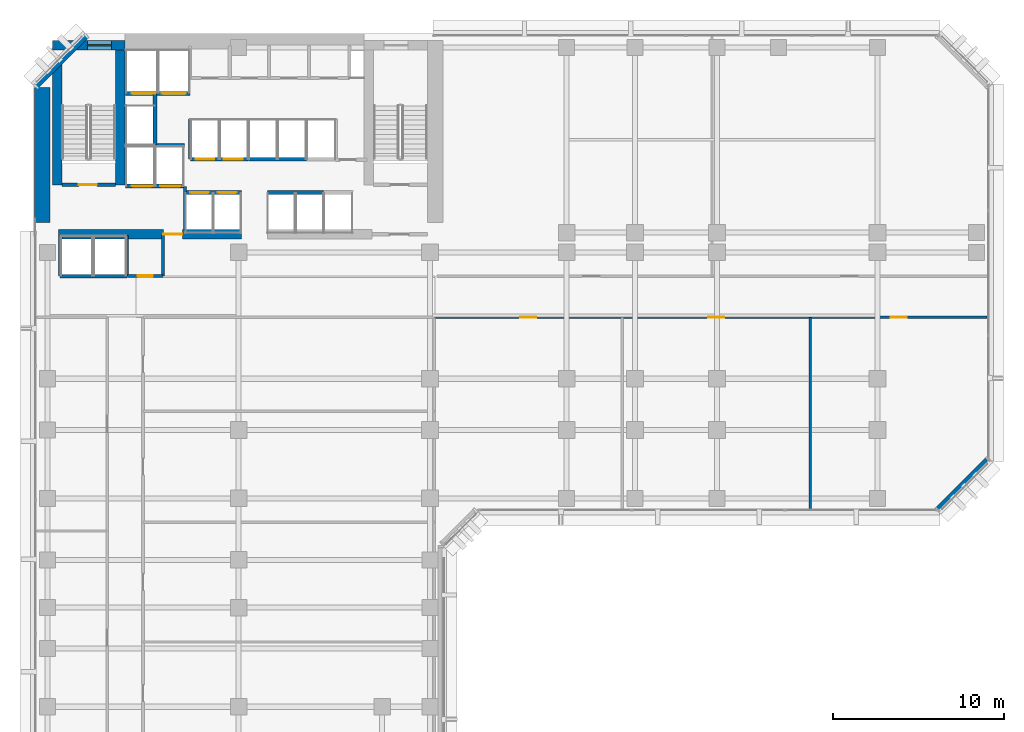
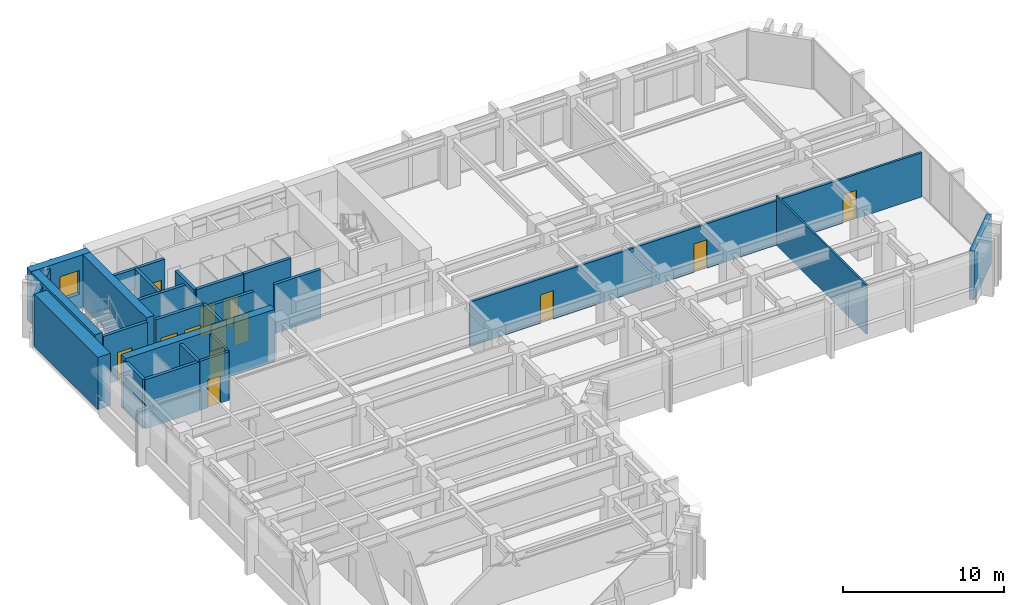
# One storey, part 7 of 14: 25 walls, 14 doors, 1 window, 15 openings.
"""IFC4 building model written with IfcOpenShell, lengths in metres."""

from ifc_helpers import new_model, si_unit, direction, frame, frame_2d, origin, place, context, subcontext, project, spatial, rectangle, extrude, material, layer, layer_set, type_object, element, fill, save


model = new_model("IFC4")

# Units and contexts
model_context = context("Model", 3, precision=1e-05, world=origin(), true_north=direction((0.0, 1.0)))
body_context = subcontext(model_context, "Body", "Model", "MODEL_VIEW")
ifc_project = project(units=[si_unit("LENGTHUNIT", "METRE"), si_unit("AREAUNIT", "SQUARE_METRE"), si_unit("VOLUMEUNIT", "CUBIC_METRE"), si_unit("PLANEANGLEUNIT", "RADIAN"), si_unit("MASSUNIT", "GRAM", prefix="KILO")], contexts=[model_context])

# Site, building, storey
site_placement = place(None, origin())
site = spatial("IfcSite", under=ifc_project, at=site_placement, CompositionType="ELEMENT")
building_placement = place(site_placement, origin())
building = spatial("IfcBuilding", under=site, at=building_placement, Name="Kefirva Bronze Tower", CompositionType="ELEMENT")
storey_placement = place(building_placement, frame((0.0, 0.0, 34.320068359375)))
storey = spatial("IfcBuildingStorey", under=building, at=storey_placement, Name="L07", CompositionType="ELEMENT", Elevation=34.320068359375)

# Wall
ifc_material_1 = material(Name="Gypsum acoustic partition")
ifc_layer_1 = layer(ifc_material_1, 0.1298828125, Name="Gypsum acoustic partition")
ifc_layer_set_1 = layer_set([ifc_layer_1], Name="Gypsum acoustic partition")
wall_type_1 = type_object("IfcWallType", Name="Acoustic Office Partition 130mm", PredefinedType="PARTITIONING", material=ifc_layer_set_1)
wall_1_placement = place(storey_placement, frame((45.454833984375, 18.18994140625, 0.0), z_axis=(0.0, 0.0, 1.0), x_axis=(0.0, 1.0, 0.0)))
element("IfcWall", 1, at=wall_1_placement, inside=storey, type_object=wall_type_1, Name="L07 Partition W-L07-ESD2", PredefinedType="PARTITIONING", context=body_context, shape_type="SweptSolid", body=[
    extrude(rectangle(XDim=11.2099609375, YDim=0.1298828125, at=frame_2d((5.60498046875, 0.0))), origin(), (0.0, 0.0, 1.0), 3.7099609375),
])

# Wall, opening, door
ifc_material_2 = material(Name="Gypsum fireboard shaftwall")
ifc_layer_2 = layer(ifc_material_2, 0.219970703125, Name="Gypsum fireboard shaftwall")
ifc_layer_set_2 = layer_set([ifc_layer_2], Name="Gypsum fireboard shaftwall")
wall_type_2 = type_object("IfcWallType", Name="Fire-Rated Shaft Enclosure Wall 220mm", PredefinedType="PARTITIONING", material=ifc_layer_set_2)
wall_2_placement = place(storey_placement, frame((1.64990234375, 37.14990234375, 0.0), z_axis=(0.0, 0.0, 1.0), x_axis=(1.0, 0.0, 0.0)))
wall_2 = element("IfcWall", 2, at=wall_2_placement, inside=storey, type_object=wall_type_2, Name="L07 Partition W-L07-ST1S", PredefinedType="PARTITIONING", context=body_context, shape_type="SweptSolid", body=[
    extrude(rectangle(XDim=3.150146484375, YDim=0.219970703125, at=frame_2d((1.5751953125, 0.0))), origin(), (0.0, 0.0, 1.0), 3.7099609375),
])
opening_1_placement = place(wall_2_placement, frame((2.050048828125, 0.0, 0.0), z_axis=(0.0, 0.0, 1.0), x_axis=(-1.0, 0.0, 0.0)))
opening_1 = element("IfcOpeningElement", 3, at=opening_1_placement, cuts=wall_2, Name="Opening L07-D001", PredefinedType="OPENING", context=body_context, shape_type="SweptSolid", body=[
    extrude(rectangle(XDim=1.050048828125, YDim=2.14990234375, at=frame_2d((0.52490234375, 1.074951171875))), frame((0.0, 0.1201171875, 0.0), z_axis=(0.0, -1.0, 0.0), x_axis=(1.0, 0.0, 0.0)), (0.0, 0.0, 1.0), 0.239990234375),
])
ifc_material_3 = material(Name="Painted galvanized steel", Category="steel")
door_type_1 = type_object("IfcDoorType", Name="Fire Stair Enclosure Door 1050x2150 FD90S", OperationType="NOTDEFINED", PredefinedType="DOOR", material=ifc_material_3)
door_1_placement = place(opening_1_placement, origin())
door_1 = element("IfcDoor", 4, at=door_1_placement, inside=storey, type_object=door_type_1, Name="Door L07-D001", OperationType="SINGLE_SWING_LEFT", OverallHeight=2.14990234375, OverallWidth=1.050048828125, PredefinedType="DOOR", context=body_context, shape_type="SweptSolid", body=[
    extrude(rectangle(XDim=1.050048828125, YDim=2.14990234375, at=frame_2d((0.52490234375, 1.074951171875))), frame((0.0, 0.02490234375, 0.0), z_axis=(0.0, -1.0, 0.0), x_axis=(1.0, 0.0, 0.0)), (0.0, 0.0, 1.0), 0.050048828125),
])
fill(opening_1, door_1)

# Wall, openings, doors
wall_3_placement = place(storey_placement, frame((5.3798828125, 37.080078125, 0.0), z_axis=(0.0, 0.0, 1.0), x_axis=(1.0, 0.0, 0.0)))
wall_3 = element("IfcWall", 5, at=wall_3_placement, inside=storey, type_object=wall_type_2, Name="L07 Partition W-L07-FFS", PredefinedType="PARTITIONING", context=body_context, shape_type="SweptSolid", body=[
    extrude(rectangle(XDim=3.460205078125, YDim=0.219970703125, at=frame_2d((1.72998046875, 0.0))), origin(), (0.0, 0.0, 1.0), 3.7099609375),
])
opening_2_placement = place(wall_3_placement, frame((1.550048828125, 0.0, 0.0), z_axis=(0.0, 0.0, 1.0), x_axis=(-1.0, 0.0, 0.0)))
opening_2 = element("IfcOpeningElement", 6, at=opening_2_placement, cuts=wall_3, Name="Opening L07-LD-FF1", PredefinedType="OPENING", context=body_context, shape_type="SweptSolid", body=[
    extrude(rectangle(XDim=1.199951171875, YDim=2.199951171875, at=frame_2d((0.60009765625, 1.10009765625))), frame((0.0, 0.1201171875, 0.0), z_axis=(0.0, -1.0, 0.0), x_axis=(1.0, 0.0, 0.0)), (0.0, 0.0, 1.0), 0.239990234375),
])
opening_3_placement = place(wall_3_placement, frame((3.219970703125, 0.0, 0.0), z_axis=(0.0, 0.0, 1.0), x_axis=(-1.0, 0.0, 0.0)))
opening_3 = element("IfcOpeningElement", 7, at=opening_3_placement, cuts=wall_3, Name="Opening L07-LD-FF2", PredefinedType="OPENING", context=body_context, shape_type="SweptSolid", body=[
    extrude(rectangle(XDim=1.199951171875, YDim=2.199951171875, at=frame_2d((0.60009765625, 1.10009765625))), frame((0.0, 0.1201171875, 0.0), z_axis=(0.0, -1.0, 0.0), x_axis=(1.0, 0.0, 0.0)), (0.0, 0.0, 1.0), 0.239990234375),
])
ifc_material_4 = material(Name="Stainless steel 316", Category="steel")
door_type_2 = type_object("IfcDoorType", Name="Firefighting Lift Sliding Door 1200x2200", OperationType="SLIDING_TO_RIGHT", PredefinedType="DOOR", material=ifc_material_4)
door_2_placement = place(opening_2_placement, origin())
door_2 = element("IfcDoor", 8, at=door_2_placement, inside=storey, type_object=door_type_2, Name="Door L07-LD-FF1", OperationType="SLIDING_TO_RIGHT", OverallHeight=2.199951171875, OverallWidth=1.199951171875, PredefinedType="DOOR", context=body_context, shape_type="SweptSolid", body=[
    extrude(rectangle(XDim=1.199951171875, YDim=2.199951171875, at=frame_2d((0.60009765625, 1.10009765625))), frame((0.0, 0.02490234375, 0.0), z_axis=(0.0, -1.0, 0.0), x_axis=(1.0, 0.0, 0.0)), (0.0, 0.0, 1.0), 0.050048828125),
])
fill(opening_2, door_2)
door_3_placement = place(opening_3_placement, origin())
door_3 = element("IfcDoor", 9, at=door_3_placement, inside=storey, type_object=door_type_2, Name="Door L07-LD-FF2", OperationType="SLIDING_TO_RIGHT", OverallHeight=2.199951171875, OverallWidth=1.199951171875, PredefinedType="DOOR", context=body_context, shape_type="SweptSolid", body=[
    extrude(rectangle(XDim=1.199951171875, YDim=2.199951171875, at=frame_2d((0.60009765625, 1.10009765625))), frame((0.0, 0.02490234375, 0.0), z_axis=(0.0, -1.0, 0.0), x_axis=(1.0, 0.0, 0.0)), (0.0, 0.0, 1.0), 0.050048828125),
])
fill(opening_3, door_3)

# Wall
wall_4_placement = place(storey_placement, frame((5.3798828125, 39.449951171875, 0.0), z_axis=(0.0, 0.0, 1.0), x_axis=(1.0, 0.0, 0.0)))
element("IfcWall", 10, at=wall_4_placement, inside=storey, type_object=wall_type_2, Name="L07 Partition W-L07-FFN", PredefinedType="PARTITIONING", context=body_context, shape_type="SweptSolid", body=[
    extrude(rectangle(XDim=3.460205078125, YDim=0.219970703125, at=frame_2d((1.72998046875, 0.0))), origin(), (0.0, 0.0, 1.0), 3.7099609375),
])

# Wall, openings, doors
wall_5_placement = place(storey_placement, frame((5.3798828125, 42.5, 0.0), z_axis=(0.0, 0.0, 1.0), x_axis=(1.0, 0.0, 0.0)))
wall_5 = element("IfcWall", 11, at=wall_5_placement, inside=storey, type_object=wall_type_2, Name="L07 Partition W-L07-SVS", PredefinedType="PARTITIONING", context=body_context, shape_type="SweptSolid", body=[
    extrude(rectangle(XDim=3.77001953125, YDim=0.219970703125, at=frame_2d((1.885009765625, 0.0))), origin(), (0.0, 0.0, 1.0), 3.7099609375),
])
opening_4_placement = place(wall_5_placement, frame((1.75, 0.0, 0.0), z_axis=(0.0, 0.0, 1.0), x_axis=(-1.0, 0.0, 0.0)))
opening_4 = element("IfcOpeningElement", 12, at=opening_4_placement, cuts=wall_5, Name="Opening L07-LD-SV1", PredefinedType="OPENING", context=body_context, shape_type="SweptSolid", body=[
    extrude(rectangle(XDim=1.39990234375, YDim=2.199951171875, at=frame_2d((0.699951171875, 1.10009765625))), frame((0.0, 0.1201171875, 0.0), z_axis=(0.0, -1.0, 0.0), x_axis=(1.0, 0.0, 0.0)), (0.0, 0.0, 1.0), 0.239990234375),
])
opening_5_placement = place(wall_5_placement, frame((3.52978515625, 0.0, 0.0), z_axis=(0.0, 0.0, 1.0), x_axis=(-1.0, 0.0, 0.0)))
opening_5 = element("IfcOpeningElement", 13, at=opening_5_placement, cuts=wall_5, Name="Opening L07-LD-SV2", PredefinedType="OPENING", context=body_context, shape_type="SweptSolid", body=[
    extrude(rectangle(XDim=1.39990234375, YDim=2.199951171875, at=frame_2d((0.699951171875, 1.10009765625))), frame((0.0, 0.1201171875, 0.0), z_axis=(0.0, -1.0, 0.0), x_axis=(1.0, 0.0, 0.0)), (0.0, 0.0, 1.0), 0.239990234375),
])
door_type_3 = type_object("IfcDoorType", Name="Goods Lift Bi-Parting Sliding Door 1400x2200", OperationType="SLIDING_TO_LEFT", PredefinedType="DOOR", material=ifc_material_4)
door_4_placement = place(opening_4_placement, origin())
door_4 = element("IfcDoor", 14, at=door_4_placement, inside=storey, type_object=door_type_3, Name="Door L07-LD-SV1", OperationType="SLIDING_TO_LEFT", OverallHeight=2.199951171875, OverallWidth=1.39990234375, PredefinedType="DOOR", context=body_context, shape_type="SweptSolid", body=[
    extrude(rectangle(XDim=1.39990234375, YDim=2.199951171875, at=frame_2d((0.699951171875, 1.10009765625))), frame((0.0, 0.02490234375, 0.0), z_axis=(0.0, -1.0, 0.0), x_axis=(1.0, 0.0, 0.0)), (0.0, 0.0, 1.0), 0.050048828125),
])
fill(opening_4, door_4)
door_5_placement = place(opening_5_placement, origin())
door_5 = element("IfcDoor", 15, at=door_5_placement, inside=storey, type_object=door_type_3, Name="Door L07-LD-SV2", OperationType="SLIDING_TO_LEFT", OverallHeight=2.199951171875, OverallWidth=1.39990234375, PredefinedType="DOOR", context=body_context, shape_type="SweptSolid", body=[
    extrude(rectangle(XDim=1.39990234375, YDim=2.199951171875, at=frame_2d((0.699951171875, 1.10009765625))), frame((0.0, 0.02490234375, 0.0), z_axis=(0.0, -1.0, 0.0), x_axis=(1.0, 0.0, 0.0)), (0.0, 0.0, 1.0), 0.050048828125),
])
fill(opening_5, door_5)

# Walls
wall_6_placement = place(storey_placement, frame((7.10009765625, 39.52001953125, 0.0), z_axis=(0.0, 0.0, 1.0), x_axis=(0.0, 1.0, 0.0)))
element("IfcWall", 16, at=wall_6_placement, inside=storey, type_object=wall_type_2, Name="L07 Partition W-L07-HP3E", PredefinedType="PARTITIONING", context=body_context, shape_type="SweptSolid", body=[
    extrude(rectangle(XDim=2.929931640625, YDim=0.219970703125, at=frame_2d((1.46484375, 0.0))), origin(), (0.0, 0.0, 1.0), 3.7099609375),
])
wall_7_placement = place(storey_placement, frame((1.550048828125, 31.800048828125, 0.0), z_axis=(0.0, 0.0, 1.0), x_axis=(1.0, 0.0, 0.0)))
element("IfcWall", 17, at=wall_7_placement, inside=storey, type_object=wall_type_2, Name="L07 Partition W-L07-OBS", PredefinedType="PARTITIONING", context=body_context, shape_type="SweptSolid", body=[
    extrude(rectangle(XDim=3.89990234375, YDim=0.219970703125, at=frame_2d((1.949951171875, 0.0))), origin(), (0.0, 0.0, 1.0), 3.7099609375),
])
for number, where, z_axis, x_axis, name in (
    (18, (1.550048828125, 31.800048828125, 0.0), (0.0, 0.0, 1.0), (0.0, 1.0, 0.0), "L07 Partition W-L07-OBW"),
    (19, (5.449951171875, 31.800048828125, 0.0), (0.0, 0.0, 1.0), (0.0, 1.0, 0.0), "L07 Partition W-L07-OBE"),
):
    element("IfcWall", number, at=place(storey_placement, frame(where, z_axis=z_axis, x_axis=x_axis)), inside=storey, type_object=wall_type_2, Name=name, PredefinedType="PARTITIONING", context=body_context, shape_type="SweptSolid", body=[
        extrude(rectangle(XDim=2.3798828125, YDim=0.219970703125, at=frame_2d((1.18994140625, 0.0))), origin(), (0.0, 0.0, 1.0), 3.7099609375),
    ])
wall_8_placement = place(storey_placement, frame((9.159912109375, 38.64990234375, 0.0), z_axis=(0.0, 0.0, 1.0), x_axis=(0.0, 1.0, 0.0)))
element("IfcWall", 20, at=wall_8_placement, inside=storey, type_object=wall_type_2, Name="L07 Partition W-L07-LP3W", PredefinedType="PARTITIONING", context=body_context, shape_type="SweptSolid", body=[
    extrude(rectangle(XDim=2.35009765625, YDim=0.199951171875, at=frame_2d((1.175048828125, 0.0))), origin(), (0.0, 0.0, 1.0), 3.7099609375),
])

# Wall, openings, doors
wall_9_placement = place(storey_placement, frame((8.89990234375, 36.699951171875, 0.0), z_axis=(0.0, 0.0, 1.0), x_axis=(1.0, 0.0, 0.0)))
wall_9 = element("IfcWall", 21, at=wall_9_placement, inside=storey, type_object=wall_type_2, Name="L07 Partition W-L07-LPS", PredefinedType="PARTITIONING", context=body_context, shape_type="SweptSolid", body=[
    extrude(rectangle(XDim=3.260009765625, YDim=0.219970703125, at=frame_2d((1.6298828125, 0.0))), origin(), (0.0, 0.0, 1.0), 3.7099609375),
])
opening_6_placement = place(wall_9_placement, frame((0.260009765625, 0.0, 0.0)))
opening_6 = element("IfcOpeningElement", 22, at=opening_6_placement, cuts=wall_9, Name="Opening L07-LD-LP1", PredefinedType="OPENING", context=body_context, shape_type="SweptSolid", body=[
    extrude(rectangle(XDim=1.10009765625, YDim=2.199951171875, at=frame_2d((0.550048828125, 1.10009765625))), frame((0.0, 0.1201171875, 0.0), z_axis=(0.0, -1.0, 0.0), x_axis=(1.0, 0.0, 0.0)), (0.0, 0.0, 1.0), 0.239990234375),
])
opening_7_placement = place(wall_9_placement, frame((1.8798828125, 0.0, 0.0)))
opening_7 = element("IfcOpeningElement", 23, at=opening_7_placement, cuts=wall_9, Name="Opening L07-LD-LP2", PredefinedType="OPENING", context=body_context, shape_type="SweptSolid", body=[
    extrude(rectangle(XDim=1.10009765625, YDim=2.199951171875, at=frame_2d((0.550048828125, 1.10009765625))), frame((0.0, 0.1201171875, 0.0), z_axis=(0.0, -1.0, 0.0), x_axis=(1.0, 0.0, 0.0)), (0.0, 0.0, 1.0), 0.239990234375),
])
door_type_4 = type_object("IfcDoorType", Name="Passenger Lift Sliding Landing Door 1100x2200", OperationType="SLIDING_TO_LEFT", PredefinedType="DOOR", material=ifc_material_4)
door_6_placement = place(opening_6_placement, origin())
door_6 = element("IfcDoor", 24, at=door_6_placement, inside=storey, type_object=door_type_4, Name="Door L07-LD-LP1", OperationType="SLIDING_TO_LEFT", OverallHeight=2.199951171875, OverallWidth=1.10009765625, PredefinedType="DOOR", context=body_context, shape_type="SweptSolid", body=[
    extrude(rectangle(XDim=1.10009765625, YDim=2.199951171875, at=frame_2d((0.550048828125, 1.10009765625))), frame((0.0, 0.02490234375, 0.0), z_axis=(0.0, -1.0, 0.0), x_axis=(1.0, 0.0, 0.0)), (0.0, 0.0, 1.0), 0.050048828125),
])
fill(opening_6, door_6)
door_7_placement = place(opening_7_placement, origin())
door_7 = element("IfcDoor", 25, at=door_7_placement, inside=storey, type_object=door_type_4, Name="Door L07-LD-LP2", OperationType="SLIDING_TO_LEFT", OverallHeight=2.199951171875, OverallWidth=1.10009765625, PredefinedType="DOOR", context=body_context, shape_type="SweptSolid", body=[
    extrude(rectangle(XDim=1.10009765625, YDim=2.199951171875, at=frame_2d((0.550048828125, 1.10009765625))), frame((0.0, 0.02490234375, 0.0), z_axis=(0.0, -1.0, 0.0), x_axis=(1.0, 0.0, 0.0)), (0.0, 0.0, 1.0), 0.050048828125),
])
fill(opening_7, door_7)

wall_10_placement = place(storey_placement, frame((9.179931640625, 38.64990234375, 0.0), z_axis=(0.0, 0.0, 1.0), x_axis=(1.0, 0.0, 0.0)))
wall_10 = element("IfcWall", 26, at=wall_10_placement, inside=storey, type_object=wall_type_2, Name="L07 Partition W-L07-LPN", PredefinedType="PARTITIONING", context=body_context, shape_type="SweptSolid", body=[
    extrude(rectangle(XDim=3.380126953125, YDim=0.219970703125, at=frame_2d((1.68994140625, 0.0))), origin(), (0.0, 0.0, 1.0), 3.7099609375),
])
opening_8_placement = place(wall_10_placement, frame((0.300048828125, 0.0, 0.0)))
opening_8 = element("IfcOpeningElement", 27, at=opening_8_placement, cuts=wall_10, Name="Opening L07-LD-LP3", PredefinedType="OPENING", context=body_context, shape_type="SweptSolid", body=[
    extrude(rectangle(XDim=1.10009765625, YDim=2.199951171875, at=frame_2d((0.550048828125, 1.10009765625))), frame((0.0, 0.1201171875, 0.0), z_axis=(0.0, -1.0, 0.0), x_axis=(1.0, 0.0, 0.0)), (0.0, 0.0, 1.0), 0.239990234375),
])
opening_9_placement = place(wall_10_placement, frame((1.949951171875, 0.0, 0.0)))
opening_9 = element("IfcOpeningElement", 28, at=opening_9_placement, cuts=wall_10, Name="Opening L07-LD-LP4", PredefinedType="OPENING", context=body_context, shape_type="SweptSolid", body=[
    extrude(rectangle(XDim=1.10009765625, YDim=2.199951171875, at=frame_2d((0.550048828125, 1.10009765625))), frame((0.0, 0.1201171875, 0.0), z_axis=(0.0, -1.0, 0.0), x_axis=(1.0, 0.0, 0.0)), (0.0, 0.0, 1.0), 0.239990234375),
])
door_8_placement = place(opening_8_placement, origin())
door_8 = element("IfcDoor", 29, at=door_8_placement, inside=storey, type_object=door_type_4, Name="Door L07-LD-LP3", OperationType="SLIDING_TO_LEFT", OverallHeight=2.199951171875, OverallWidth=1.10009765625, PredefinedType="DOOR", context=body_context, shape_type="SweptSolid", body=[
    extrude(rectangle(XDim=1.10009765625, YDim=2.199951171875, at=frame_2d((0.550048828125, 1.10009765625))), frame((0.0, 0.02490234375, 0.0), z_axis=(0.0, -1.0, 0.0), x_axis=(1.0, 0.0, 0.0)), (0.0, 0.0, 1.0), 0.050048828125),
])
fill(opening_8, door_8)
door_9_placement = place(opening_9_placement, origin())
door_9 = element("IfcDoor", 30, at=door_9_placement, inside=storey, type_object=door_type_4, Name="Door L07-LD-LP4", OperationType="SLIDING_TO_LEFT", OverallHeight=2.199951171875, OverallWidth=1.10009765625, PredefinedType="DOOR", context=body_context, shape_type="SweptSolid", body=[
    extrude(rectangle(XDim=1.10009765625, YDim=2.199951171875, at=frame_2d((0.550048828125, 1.10009765625))), frame((0.0, 0.02490234375, 0.0), z_axis=(0.0, -1.0, 0.0), x_axis=(1.0, 0.0, 0.0)), (0.0, 0.0, 1.0), 0.050048828125),
])
fill(opening_9, door_9)

# Walls
wall_11_placement = place(storey_placement, frame((13.679931640625, 36.699951171875, 0.0), z_axis=(0.0, 0.0, 1.0), x_axis=(1.0, 0.0, 0.0)))
element("IfcWall", 31, at=wall_11_placement, inside=storey, type_object=wall_type_2, Name="L07 Partition W-L07-MPS", PredefinedType="PARTITIONING", context=body_context, shape_type="SweptSolid", body=[
    extrude(rectangle(XDim=3.280029296875, YDim=0.219970703125, at=frame_2d((1.64013671875, 0.0))), origin(), (0.0, 0.0, 1.0), 3.7099609375),
])
wall_12_placement = place(storey_placement, frame((12.580078125, 38.64990234375, 0.0), z_axis=(0.0, 0.0, 1.0), x_axis=(1.0, 0.0, 0.0)))
element("IfcWall", 32, at=wall_12_placement, inside=storey, type_object=wall_type_2, Name="L07 Partition W-L07-MPN", PredefinedType="PARTITIONING", context=body_context, shape_type="SweptSolid", body=[
    extrude(rectangle(XDim=3.3798828125, YDim=0.219970703125, at=frame_2d((1.68994140625, 0.0))), origin(), (0.0, 0.0, 1.0), 3.7099609375),
])
ifc_material_5 = material(Name="Gypsum fireboard barrier")
ifc_layer_3 = layer(ifc_material_5, 0.199951171875, Name="Gypsum fireboard barrier")
ifc_layer_set_3 = layer_set([ifc_layer_3], Name="Gypsum fireboard barrier")
wall_type_3 = type_object("IfcWallType", Name="Firefighting Lobby Barrier Wall 200mm", PredefinedType="PARTITIONING", material=ifc_layer_set_3)
wall_13_placement = place(storey_placement, frame((8.860107421875, 34.550048828125, 0.0), z_axis=(0.0, 0.0, 1.0), x_axis=(0.0, 1.0, 0.0)))
element("IfcWall", 33, at=wall_13_placement, inside=storey, type_object=wall_type_3, Name="L07 Partition W-L07-FFLE", PredefinedType="PARTITIONING", context=body_context, shape_type="SweptSolid", body=[
    extrude(rectangle(XDim=2.5, YDim=0.199951171875, at=frame_2d((1.25, 0.0))), origin(), (0.0, 0.0, 1.0), 3.7099609375),
])
ifc_material_6 = material(Name="Precast concrete C40/50", Category="concrete")
ifc_layer_4 = layer(ifc_material_6, 0.320068359375, Name="Precast concrete C40/50")
ifc_layer_set_4 = layer_set([ifc_layer_4], Name="Precast concrete C40/50")
wall_type_4 = type_object("IfcWallType", Name="Precast Insulated Exterior Wall 320mm", PredefinedType="SOLIDWALL", material=ifc_layer_set_4)
for number, where, z_axis, x_axis, name in (
    (34, (52.92578125, 18.152099609375, 0.0), (0.0, 0.0, 1.0), (0.707106781187, 0.707106781187, 0.0), "L07 Exterior Facade Wall 4"),
    (35, (3.07421875, 45.847900390625, 0.0), (0.0, 0.0, 1.0), (-0.707106781187, -0.707106781187, 0.0), "L07 Exterior Facade Wall 6"),
):
    element("IfcWall", number, at=place(storey_placement, frame(where, z_axis=z_axis, x_axis=x_axis)), inside=storey, type_object=wall_type_4, Name=name, PredefinedType="SOLIDWALL", context=body_context, shape_type="SweptSolid", body=[
        extrude(rectangle(XDim=4.132568359375, YDim=0.320068359375, at=frame_2d((2.06640625, 0.0))), origin(), (0.0, 0.0, 1.0), 3.7099609375),
    ])

# Wall, openings, doors
ifc_layer_5 = layer(ifc_material_1, 0.159912109375, Name="Gypsum acoustic partition")
ifc_layer_set_5 = layer_set([ifc_layer_5], Name="Gypsum acoustic partition")
wall_type_5 = type_object("IfcWallType", Name="Protected Corridor Partition 160mm", PredefinedType="PARTITIONING", material=ifc_layer_set_5)
wall_14_placement = place(storey_placement, frame((23.449951171875, 29.39990234375, 0.0), z_axis=(0.0, 0.0, 1.0), x_axis=(1.0, 0.0, 0.0)))
wall_14 = element("IfcWall", 36, at=wall_14_placement, inside=storey, type_object=wall_type_5, Name="L07 Partition W-L07-EWS", PredefinedType="PARTITIONING", context=body_context, shape_type="SweptSolid", body=[
    extrude(rectangle(XDim=32.360107421875, YDim=0.159912109375, at=frame_2d((16.18017578125, 0.0))), origin(), (0.0, 0.0, 1.0), 3.364990234375),
])
opening_10_placement = place(wall_14_placement, frame((5.97607421875, 0.0, 0.0), z_axis=(0.0, 0.0, 1.0), x_axis=(-1.0, 0.0, 0.0)))
opening_10 = element("IfcOpeningElement", 37, at=opening_10_placement, cuts=wall_14, Name="Opening L07-D-ES1", PredefinedType="OPENING", context=body_context, shape_type="SweptSolid", body=[
    extrude(rectangle(XDim=0.949951171875, YDim=2.14990234375, at=frame_2d((0.47509765625, 1.074951171875))), frame((0.0, 0.08984375, 0.0), z_axis=(0.0, -1.0, 0.0), x_axis=(1.0, 0.0, 0.0)), (0.0, 0.0, 1.0), 0.179931640625),
])
opening_11_placement = place(wall_14_placement, frame((16.978515625, 0.0, 0.0), z_axis=(0.0, 0.0, 1.0), x_axis=(-1.0, 0.0, 0.0)))
opening_11 = element("IfcOpeningElement", 38, at=opening_11_placement, cuts=wall_14, Name="Opening L07-D-ES2", PredefinedType="OPENING", context=body_context, shape_type="SweptSolid", body=[
    extrude(rectangle(XDim=0.949951171875, YDim=2.14990234375, at=frame_2d((0.47509765625, 1.074951171875))), frame((0.0, 0.08984375, 0.0), z_axis=(0.0, -1.0, 0.0), x_axis=(1.0, 0.0, 0.0)), (0.0, 0.0, 1.0), 0.179931640625),
])
opening_12_placement = place(wall_14_placement, frame((27.657470703125, 0.0, 0.0), z_axis=(0.0, 0.0, 1.0), x_axis=(-1.0, 0.0, 0.0)))
opening_12 = element("IfcOpeningElement", 39, at=opening_12_placement, cuts=wall_14, Name="Opening L07-D-ES3", PredefinedType="OPENING", context=body_context, shape_type="SweptSolid", body=[
    extrude(rectangle(XDim=0.949951171875, YDim=2.14990234375, at=frame_2d((0.47509765625, 1.074951171875))), frame((0.0, 0.08984375, 0.0), z_axis=(0.0, -1.0, 0.0), x_axis=(1.0, 0.0, 0.0)), (0.0, 0.0, 1.0), 0.179931640625),
])
ifc_material_7 = material(Name="Acoustic hardwood oak", Category="wood")
door_type_5 = type_object("IfcDoorType", Name="Office & Meeting Room Door 950x2150", OperationType="NOTDEFINED", PredefinedType="DOOR", material=ifc_material_7)
door_10_placement = place(opening_10_placement, origin())
door_10 = element("IfcDoor", 40, at=door_10_placement, inside=storey, type_object=door_type_5, Name="Door L07-D-ES1", OperationType="SINGLE_SWING_RIGHT", OverallHeight=2.14990234375, OverallWidth=0.949951171875, PredefinedType="DOOR", context=body_context, shape_type="SweptSolid", body=[
    extrude(rectangle(XDim=0.949951171875, YDim=2.14990234375, at=frame_2d((0.47509765625, 1.074951171875))), frame((0.0, 0.02490234375, 0.0), z_axis=(0.0, -1.0, 0.0), x_axis=(1.0, 0.0, 0.0)), (0.0, 0.0, 1.0), 0.050048828125),
])
fill(opening_10, door_10)
door_11_placement = place(opening_11_placement, origin())
door_11 = element("IfcDoor", 41, at=door_11_placement, inside=storey, type_object=door_type_5, Name="Door L07-D-ES2", OperationType="SINGLE_SWING_LEFT", OverallHeight=2.14990234375, OverallWidth=0.949951171875, PredefinedType="DOOR", context=body_context, shape_type="SweptSolid", body=[
    extrude(rectangle(XDim=0.949951171875, YDim=2.14990234375, at=frame_2d((0.47509765625, 1.074951171875))), frame((0.0, 0.02490234375, 0.0), z_axis=(0.0, -1.0, 0.0), x_axis=(1.0, 0.0, 0.0)), (0.0, 0.0, 1.0), 0.050048828125),
])
fill(opening_11, door_11)
door_12_placement = place(opening_12_placement, origin())
door_12 = element("IfcDoor", 42, at=door_12_placement, inside=storey, type_object=door_type_5, Name="Door L07-D-ES3", OperationType="SINGLE_SWING_RIGHT", OverallHeight=2.14990234375, OverallWidth=0.949951171875, PredefinedType="DOOR", context=body_context, shape_type="SweptSolid", body=[
    extrude(rectangle(XDim=0.949951171875, YDim=2.14990234375, at=frame_2d((0.47509765625, 1.074951171875))), frame((0.0, 0.02490234375, 0.0), z_axis=(0.0, -1.0, 0.0), x_axis=(1.0, 0.0, 0.0)), (0.0, 0.0, 1.0), 0.050048828125),
])
fill(opening_12, door_12)

# Wall, opening, window
ifc_material_8 = material(Name="Concrete C50/60", Category="concrete")
ifc_layer_6 = layer(ifc_material_8, 0.550048828125, Name="Concrete C50/60")
ifc_layer_set_6 = layer_set([ifc_layer_6], Name="Concrete C50/60")
wall_type_6 = type_object("IfcWallType", Name="RC Rear Core Exterior Wall 550mm", PredefinedType="SHEAR", material=ifc_layer_set_6)
wall_15_placement = place(storey_placement, frame((1.10009765625, 45.320068359375, 0.0), z_axis=(0.0, 0.0, 1.0), x_axis=(1.0, 0.0, 0.0)))
wall_15 = element("IfcWall", 43, at=wall_15_placement, inside=storey, type_object=wall_type_6, Name="L07 Stair 1 North Shear Wall", PredefinedType="SHEAR", context=body_context, shape_type="SweptSolid", body=[
    extrude(rectangle(XDim=4.239990234375, YDim=0.550048828125, at=frame_2d((2.1201171875, 0.0))), origin(), (0.0, 0.0, 1.0), 3.9599609375),
])
opening_13_placement = place(wall_15_placement, frame((2.050048828125, 0.0, 1.050048828125)))
opening_13 = element("IfcOpeningElement", 44, at=opening_13_placement, cuts=wall_15, Name="Opening WN-03", PredefinedType="OPENING", context=body_context, shape_type="SweptSolid", body=[
    extrude(rectangle(XDim=1.39990234375, YDim=1.800048828125, at=frame_2d((0.699951171875, 0.89990234375))), frame((0.0, 0.28515625, 0.0), z_axis=(0.0, -1.0, 0.0), x_axis=(1.0, 0.0, 0.0)), (0.0, 0.0, 1.0), 0.570068359375),
])
ifc_material_9 = material(Name="Laminated low-E double glazing", Category="glass")
window_type = type_object("IfcWindowType", Name="Rear-Core Stair Daylight Window 1400x1800", PartitioningType="SINGLE_PANEL", PredefinedType="WINDOW", material=ifc_material_9)
window_placement = place(opening_13_placement, origin())
window = element("IfcWindow", 45, at=window_placement, inside=storey, type_object=window_type, Name="L07 Stair 1 Daylight Window", OverallHeight=1.800048828125, OverallWidth=1.39990234375, PartitioningType="SINGLE_PANEL", PredefinedType="WINDOW", context=body_context, shape_type="SweptSolid", body=[
    extrude(rectangle(XDim=1.39990234375, YDim=1.800048828125, at=frame_2d((0.699951171875, 0.89990234375))), frame((0.0, 0.030029296875, 0.0), z_axis=(0.0, -1.0, 0.0), x_axis=(1.0, 0.0, 0.0)), (0.0, 0.0, 1.0), 0.06005859375),
])
fill(opening_13, window)

# Walls
ifc_material_10 = material(Name="Concrete C60/75", Category="concrete")
ifc_layer_7 = layer(ifc_material_10, 0.89990234375, Name="Concrete C60/75")
ifc_layer_set_7 = layer_set([ifc_layer_7], Name="Concrete C60/75")
wall_type_7 = type_object("IfcWallType", Name="RC Rear Core Exterior Wall 900mm", PredefinedType="SHEAR", material=ifc_layer_set_7)
wall_16_placement = place(storey_placement, frame((0.5, 34.949951171875, 0.0), z_axis=(0.0, 0.0, 1.0), x_axis=(0.0, 1.0, 0.0)))
element("IfcWall", 46, at=wall_16_placement, inside=storey, type_object=wall_type_7, Name="L07 Rear Core West Shear Wall", PredefinedType="SHEAR", context=body_context, shape_type="SweptSolid", body=[
    extrude(rectangle(XDim=7.900146484375, YDim=0.89990234375, at=frame_2d((3.9501953125, 0.0))), origin(), (0.0, 0.0, 1.0), 3.9599609375),
])
ifc_layer_8 = layer(ifc_material_8, 0.550048828125, Name="Concrete C50/60")
ifc_layer_set_8 = layer_set([ifc_layer_8], Name="Concrete C50/60")
wall_type_8 = type_object("IfcWallType", Name="RC Rear Core Interior Wall 550mm", PredefinedType="SHEAR", material=ifc_layer_set_8)
for number, where, z_axis, x_axis, name in (
    (47, (1.3701171875, 37.14990234375, 0.0), (0.0, 0.0, 1.0), (0.0, 1.0, 0.0), "L07 Stair 1 West Shear Wall"),
    (48, (5.070068359375, 37.14990234375, 0.0), (0.0, 0.0, 1.0), (0.0, 1.0, 0.0), "L07 Stair 1 East Shear Wall"),
):
    element("IfcWall", number, at=place(storey_placement, frame(where, z_axis=z_axis, x_axis=x_axis)), inside=storey, type_object=wall_type_8, Name=name, PredefinedType="SHEAR", context=body_context, shape_type="SweptSolid", body=[
        extrude(rectangle(XDim=7.89013671875, YDim=0.550048828125, at=frame_2d((3.945068359375, 0.0))), origin(), (0.0, 0.0, 1.0), 3.9599609375),
    ])

# Wall, opening, door
ifc_layer_9 = layer(ifc_material_10, 0.89990234375, Name="Concrete C60/75")
ifc_layer_set_9 = layer_set([ifc_layer_9], Name="Concrete C60/75")
wall_type_9 = type_object("IfcWallType", Name="RC Rear Core Interior Wall 900mm", PredefinedType="SHEAR", material=ifc_layer_set_9)
wall_17_placement = place(storey_placement, frame((1.449951171875, 34.25, 0.0), z_axis=(0.0, 0.0, 1.0), x_axis=(1.0, 0.0, 0.0)))
wall_17 = element("IfcWall", 49, at=wall_17_placement, inside=storey, type_object=wall_type_9, Name="L07 Rear Core South-West Shear Wall", PredefinedType="SHEAR", context=body_context, shape_type="SweptSolid", body=[
    extrude(rectangle(XDim=10.7099609375, YDim=0.550048828125, at=frame_2d((5.35498046875, 0.0))), origin(), (0.0, 0.0, 1.0), 3.9599609375),
])
opening_14_placement = place(wall_17_placement, frame((7.25, 0.0, 0.0), z_axis=(0.0, 0.0, 1.0), x_axis=(-1.0, 0.0, 0.0)))
opening_14 = element("IfcOpeningElement", 50, at=opening_14_placement, cuts=wall_17, Name="Opening L07-D002", PredefinedType="OPENING", context=body_context, shape_type="SweptSolid", body=[
    extrude(rectangle(XDim=1.10009765625, YDim=2.14990234375, at=frame_2d((0.550048828125, 1.074951171875))), frame((0.0, 0.28515625, 0.0), z_axis=(0.0, -1.0, 0.0), x_axis=(1.0, 0.0, 0.0)), (0.0, 0.0, 1.0), 0.570068359375),
])
door_type_6 = type_object("IfcDoorType", Name="Firefighting Lobby Smoke Door 1100x2150 FD60S", OperationType="NOTDEFINED", PredefinedType="DOOR", material=ifc_material_3)
door_13_placement = place(opening_14_placement, origin())
door_13 = element("IfcDoor", 51, at=door_13_placement, inside=storey, type_object=door_type_6, Name="Door L07-D002", OperationType="SINGLE_SWING_RIGHT", OverallHeight=2.14990234375, OverallWidth=1.10009765625, PredefinedType="DOOR", context=body_context, shape_type="SweptSolid", body=[
    extrude(rectangle(XDim=1.10009765625, YDim=2.14990234375, at=frame_2d((0.550048828125, 1.074951171875))), frame((0.0, 0.02490234375, 0.0), z_axis=(0.0, -1.0, 0.0), x_axis=(1.0, 0.0, 0.0)), (0.0, 0.0, 1.0), 0.050048828125),
])
fill(opening_14, door_13)

ifc_material_11 = material(Name="Moisture-resistant partition")
ifc_layer_10 = layer(ifc_material_11, 0.179931640625, Name="Moisture-resistant partition")
ifc_layer_set_10 = layer_set([ifc_layer_10], Name="Moisture-resistant partition")
wall_type_10 = type_object("IfcWallType", Name="Sanitary Plumbing Chase Wall 180mm", PredefinedType="PLUMBINGWALL", material=ifc_layer_set_10)
wall_18_placement = place(storey_placement, frame((5.5, 31.820068359375, 0.0), z_axis=(0.0, 0.0, 1.0), x_axis=(1.0, 0.0, 0.0)))
wall_18 = element("IfcWall", 52, at=wall_18_placement, inside=storey, type_object=wall_type_10, Name="L07 Partition W-L07-TCS", PredefinedType="PLUMBINGWALL", context=body_context, shape_type="SweptSolid", body=[
    extrude(rectangle(XDim=2.080078125, YDim=0.179931640625, at=frame_2d((1.0400390625, 0.0))), origin(), (0.0, 0.0, 1.0), 3.7099609375),
])
opening_15_placement = place(wall_18_placement, frame((1.47998046875, 0.0, 0.0), z_axis=(0.0, 0.0, 1.0), x_axis=(-1.0, 0.0, 0.0)))
opening_15 = element("IfcOpeningElement", 53, at=opening_15_placement, cuts=wall_18, Name="Opening L07-D-TCL1", PredefinedType="OPENING", context=body_context, shape_type="SweptSolid", body=[
    extrude(rectangle(XDim=0.89990234375, YDim=2.10009765625, at=frame_2d((0.449951171875, 1.050048828125))), frame((0.0, 0.10009765625, 0.0), z_axis=(0.0, -1.0, 0.0), x_axis=(1.0, 0.0, 0.0)), (0.0, 0.0, 1.0), 0.199951171875),
])
door_type_7 = type_object("IfcDoorType", Name="Telecom & Meter Fire Door 900x2100 FD60S", OperationType="NOTDEFINED", PredefinedType="DOOR", material=ifc_material_3)
door_14_placement = place(opening_15_placement, origin())
door_14 = element("IfcDoor", 54, at=door_14_placement, inside=storey, type_object=door_type_7, Name="Door L07-D-TCL1", OperationType="SINGLE_SWING_RIGHT", OverallHeight=2.10009765625, OverallWidth=0.89990234375, PredefinedType="DOOR", context=body_context, shape_type="SweptSolid", body=[
    extrude(rectangle(XDim=0.89990234375, YDim=2.10009765625, at=frame_2d((0.449951171875, 1.050048828125))), frame((0.0, 0.02490234375, 0.0), z_axis=(0.0, -1.0, 0.0), x_axis=(1.0, 0.0, 0.0)), (0.0, 0.0, 1.0), 0.050048828125),
])
fill(opening_15, door_14)

# Wall
wall_19_placement = place(storey_placement, frame((7.580078125, 31.820068359375, 0.0), z_axis=(0.0, 0.0, 1.0), x_axis=(0.0, 1.0, 0.0)))
element("IfcWall", 55, at=wall_19_placement, inside=storey, type_object=wall_type_10, Name="L07 Partition W-L07-TCE", PredefinedType="PLUMBINGWALL", context=body_context, shape_type="SweptSolid", body=[
    extrude(rectangle(XDim=2.35986328125, YDim=0.179931640625, at=frame_2d((1.179931640625, 0.0))), origin(), (0.0, 0.0, 1.0), 3.7099609375),
])

save(model, "model.ifc")
